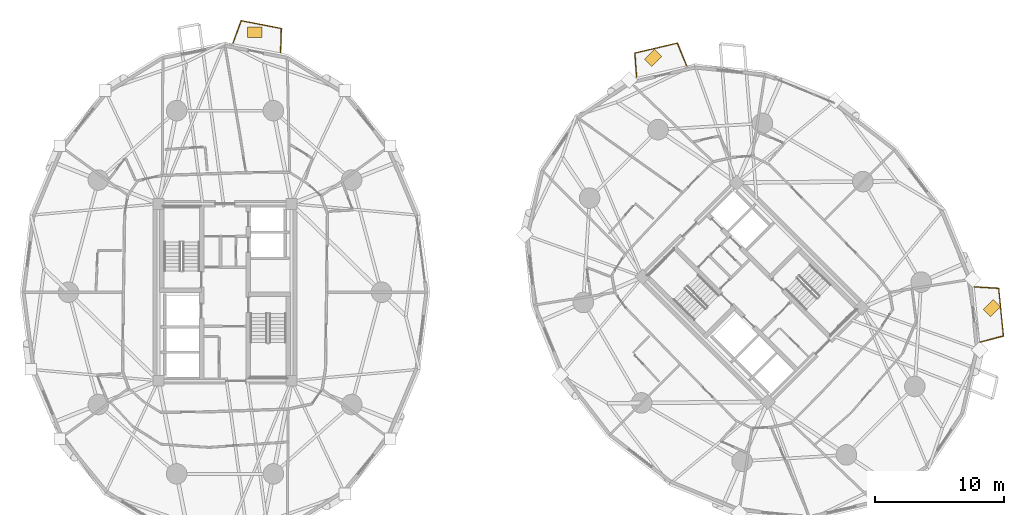
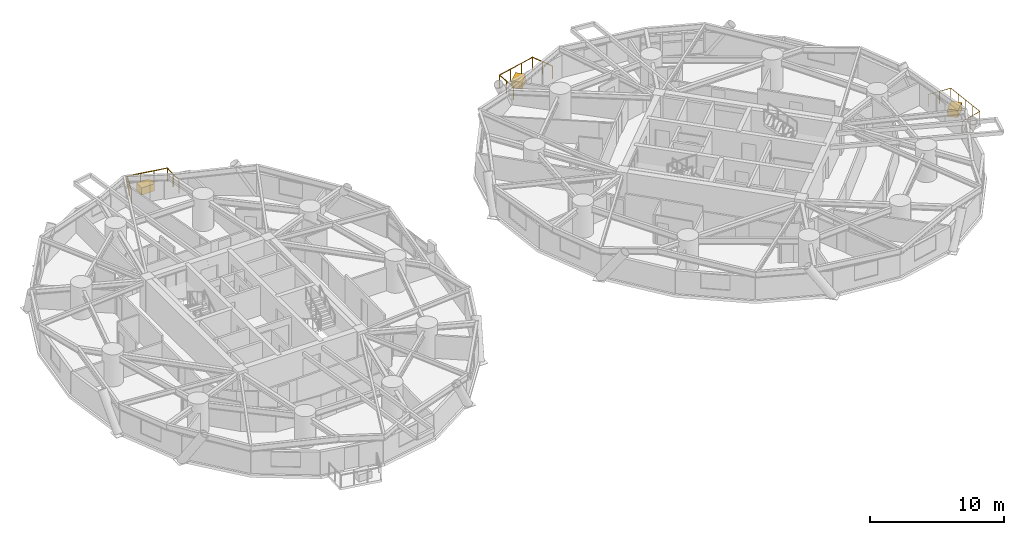
# One storey, part 19 of 19: 3 coverings, 3 railings.
"""IFC4 building model written with IfcOpenShell, lengths in metres."""

import ifcopenshell
import ifcopenshell.guid

model = None  # the IFC model being written
_history = None  # IfcOwnerHistory: only IFC2X3 demands one
_inside = {}  # id of a spatial element -> (the spatial element, [elements in it])
_under = {}  # id of a project, library or spatial element -> (it, [spatial elements below it])
_declared = {}  # id of a project -> (the project, [libraries it declares])
_typed = {}  # id of a type object -> (the type object, [elements of that type])
_made_of = {}  # id of a material, layer set ... -> (it, [elements and type objects made of it])


def new_model(schema):
    """Start an empty IFC model of exactly this schema.

    Asked for "IFC4X3", IfcOpenShell would pick the latest addendum, in which some entities
    have other attributes; the version numbers below select the first issue.
    IFC2X3 requires an IfcOwnerHistory on every rooted entity: one is made here for all.
    """
    global model, _history
    if schema == "IFC4X3":
        model = ifcopenshell.file(schema_version=(4, 3, 0, 0))
    else:
        model = ifcopenshell.file(schema=schema)
    _inside.clear()
    _under.clear()
    _declared.clear()
    _typed.clear()
    _made_of.clear()
    _history = None
    if model.schema == "IFC2X3":
        org = make("IfcOrganization", Name="unknown")
        user = make(
            "IfcPersonAndOrganization",
            ThePerson=make("IfcPerson", FamilyName="unknown"),
            TheOrganization=org,
        )
        app = make(
            "IfcApplication",
            ApplicationDeveloper=org,
            Version="unknown",
            ApplicationFullName="unknown",
            ApplicationIdentifier="unknown",
        )
        _history = make(
            "IfcOwnerHistory",
            OwningUser=user,
            OwningApplication=app,
            ChangeAction="ADDED",
            CreationDate=0,
        )
    return model


def make(cls, **values):
    """One entity of the class cls with the attributes given. An attribute that is None is left unset."""
    return model.create_entity(
        cls, **{name: value for name, value in values.items() if value is not None}
    )


def rooted(cls, **values):
    """An entity with a GlobalId (a new one), such as an element, a storey or a relation."""
    return make(cls, GlobalId=ifcopenshell.guid.new(), OwnerHistory=_history, **values)


def si_unit(unit_type, name, prefix=None):
    """IfcSIUnit, for example si_unit("LENGTHUNIT", "METRE", prefix="MILLI")."""
    return make("IfcSIUnit", UnitType=unit_type, Prefix=prefix, Name=name)


def assignment(units):
    """IfcUnitAssignment: the units of a project."""
    return None if units is None else make("IfcUnitAssignment", Units=units)


def point(xyz):
    """IfcCartesianPoint."""
    return None if xyz is None else make("IfcCartesianPoint", Coordinates=xyz)


def direction(xyz):
    """IfcDirection."""
    return None if xyz is None else make("IfcDirection", DirectionRatios=xyz)


def frame(location, z_axis=None, x_axis=None):
    """IfcAxis2Placement3D, a coordinate frame: its origin and axes. An axis left out is left unset."""
    return make(
        "IfcAxis2Placement3D",
        Location=point(location),
        Axis=direction(z_axis),
        RefDirection=direction(x_axis),
    )


def frame_2d(location, x_axis=None):
    """IfcAxis2Placement2D, a coordinate frame in the plane: its origin and x axis."""
    return make(
        "IfcAxis2Placement2D", Location=point(location), RefDirection=direction(x_axis)
    )


def origin():
    """The frame at (0, 0, 0) with its axes left unset."""
    return frame((0.0, 0.0, 0.0))


def origin_2d():
    """The frame at (0, 0) in the plane with its x axis left unset."""
    return frame_2d((0.0, 0.0))


def place(relative_to, where):
    """IfcLocalPlacement: puts the frame where relative to a parent placement (None: the world)."""
    return make(
        "IfcLocalPlacement", PlacementRelTo=relative_to, RelativePlacement=where
    )


def context(
    kind, dimensions, precision=None, world=None, true_north=None, identifier=None
):
    """IfcGeometricRepresentationContext, for example the 3D "Model" context."""
    return make(
        "IfcGeometricRepresentationContext",
        ContextIdentifier=identifier,
        ContextType=kind,
        CoordinateSpaceDimension=dimensions,
        Precision=precision,
        WorldCoordinateSystem=world,
        TrueNorth=true_north,
    )


def subcontext(parent, identifier, kind, view, scale=None):
    """IfcGeometricRepresentationSubContext, for example "Body" below "Model"."""
    return make(
        "IfcGeometricRepresentationSubContext",
        ContextIdentifier=identifier,
        ContextType=kind,
        ParentContext=parent,
        TargetScale=scale,
        TargetView=view,
    )


def project(units=None, contexts=None):
    """IfcProject with its units and contexts."""
    return rooted(
        "IfcProject",
        Name="project",
        RepresentationContexts=contexts,
        UnitsInContext=assignment(units),
    )


def spatial(cls, under=None, at=None, **own):
    """A site, building, storey or space (cls), placed at a placement, below another one or the project."""
    s = rooted(cls, ObjectPlacement=at, **own)
    if under is not None:
        _under.setdefault(under.id(), (under, []))[1].append(s)
    return s


def profile(cls, at=None, kind="AREA", **sizes):
    """A parametric profile (cls). Its sizes go by their IFC names, for example OverallWidth=200.0."""
    return make(cls, ProfileType=kind, Position=at, **sizes)


def rectangle(**sizes):
    """IfcRectangleProfileDef."""
    return profile("IfcRectangleProfileDef", **sizes)


def circle(**sizes):
    """IfcCircleProfileDef."""
    return profile("IfcCircleProfileDef", **sizes)


def extrude(swept, where, along, depth):
    """IfcExtrudedAreaSolid: the profile swept, set in the frame where, extruded along a direction by depth."""
    return make(
        "IfcExtrudedAreaSolid",
        SweptArea=swept,
        Position=where,
        ExtrudedDirection=direction(along),
        Depth=depth,
    )


def shape(context_of_items, identifier, shape_type, items):
    """IfcShapeRepresentation: the items that make up one representation, for example the "Body"."""
    return make(
        "IfcShapeRepresentation",
        ContextOfItems=context_of_items,
        RepresentationIdentifier=identifier,
        RepresentationType=shape_type,
        Items=items,
    )


def source(mapping_origin, context_of_items, identifier, shape_type, items):
    """IfcRepresentationMap: a shape defined once, which mapped items show again and again."""
    return make(
        "IfcRepresentationMap",
        MappingOrigin=mapping_origin,
        MappedRepresentation=shape(context_of_items, identifier, shape_type, items),
    )


def transform(
    local_origin,
    x_axis=None,
    y_axis=None,
    z_axis=None,
    scale=None,
    scale2=None,
    scale3=None,
    uniform=True,
):
    """IfcCartesianTransformationOperator3D, or its non-uniform kind. x_axis, y_axis, z_axis: its Axis1, 2, 3."""
    if uniform:
        return make(
            "IfcCartesianTransformationOperator3D",
            Axis1=direction(x_axis),
            Axis2=direction(y_axis),
            LocalOrigin=point(local_origin),
            Scale=scale,
            Axis3=direction(z_axis),
        )
    return make(
        "IfcCartesianTransformationOperator3DnonUniform",
        Axis1=direction(x_axis),
        Axis2=direction(y_axis),
        LocalOrigin=point(local_origin),
        Scale=scale,
        Axis3=direction(z_axis),
        Scale2=scale2,
        Scale3=scale3,
    )


def mapped(mapping_source, mapping_target):
    """IfcMappedItem: shows the shape of a source again, moved by a transform."""
    return make(
        "IfcMappedItem", MappingSource=mapping_source, MappingTarget=mapping_target
    )


def material(Name=None, Category=None):
    """IfcMaterial."""
    return make("IfcMaterial", Name=Name, Category=Category)


def layer(
    of_material, thickness, ventilated=None, Name=None, Category=None, Priority=None
):
    """IfcMaterialLayer: one layer of a wall or slab, of a material (None: an air gap)."""
    return make(
        "IfcMaterialLayer",
        Material=of_material,
        LayerThickness=thickness,
        IsVentilated=ventilated,
        Name=Name,
        Category=Category,
        Priority=Priority,
    )


def layer_set(layers, Name=None):
    """IfcMaterialLayerSet."""
    return make("IfcMaterialLayerSet", MaterialLayers=layers, LayerSetName=Name)


def made_of(thing, what):
    """Note that an element or type object is made of a material, layer set ...; save() writes the relation."""
    if what is not None:
        _made_of.setdefault(what.id(), (what, []))[1].append(thing)
    return thing


def type_object(cls, material=None, **own):
    """A type object (cls), such as IfcWallType, which elements share."""
    return made_of(rooted(cls, **own), material)


def element(
    cls,
    number,
    at=None,
    inside=None,
    cuts=None,
    type_object=None,
    material=None,
    context=None,
    identifier="Body",
    shape_type=None,
    held_by="IfcProductDefinitionShape",
    body=None,
    shapes=None,
    **own,
):
    """One element of the class cls, such as IfcWall. Its Tag is "e" and its number.

    at: its placement. inside: the storey or other place that contains it. cuts: it is an
    opening in that element (IfcRelVoidsElement). A single representation is given by context,
    identifier, shape_type and body (its items); several are given by shapes. held_by: the class
    of the entity that holds the representations. save() writes the other relations.
    """
    e = rooted(cls, Tag="e%d" % number, ObjectPlacement=at, **own)
    if body is not None:
        shapes = [shape(context, identifier, shape_type, body)]
    if shapes is not None:
        e.Representation = make(held_by, Representations=shapes)
    if inside is not None:
        _inside.setdefault(inside.id(), (inside, []))[1].append(e)
    if cuts is not None:
        rooted(
            "IfcRelVoidsElement", RelatingBuildingElement=cuts, RelatedOpeningElement=e
        )
    if type_object is not None:
        _typed.setdefault(type_object.id(), (type_object, []))[1].append(e)
    return made_of(e, material)


def aggregate(whole, parts):
    """IfcRelAggregates: a whole, such as a stair, and the parts it consists of."""
    return rooted("IfcRelAggregates", RelatingObject=whole, RelatedObjects=parts)


def save(model, path):
    """Write the relations noted so far, then the file.

    IfcRelAggregates (storeys below a building ...), IfcRelContainedInSpatialStructure (elements
    in a storey), IfcRelDefinesByType, IfcRelAssociatesMaterial and IfcRelDeclares: one each for
    every whole, place, type object, material and project.
    """
    for whole, parts in _under.values():
        aggregate(whole, parts)
    for where, things in _inside.values():
        rooted(
            "IfcRelContainedInSpatialStructure",
            RelatedElements=things,
            RelatingStructure=where,
        )
    for kind, things in _typed.values():
        rooted("IfcRelDefinesByType", RelatedObjects=things, RelatingType=kind)
    for what, things in _made_of.values():
        rooted("IfcRelAssociatesMaterial", RelatedObjects=things, RelatingMaterial=what)
    for by, libraries in _declared.values():
        rooted("IfcRelDeclares", RelatingContext=by, RelatedDefinitions=libraries)
    model.write(path)


model = new_model("IFC4")

# Units and contexts
model_context = context("Model", 3, precision=1e-05, world=origin(), true_north=direction((0.0, 1.0)))
body_context = subcontext(model_context, "Body", "Model", "MODEL_VIEW")
ifc_project = project(units=[si_unit("LENGTHUNIT", "METRE"), si_unit("AREAUNIT", "SQUARE_METRE"), si_unit("VOLUMEUNIT", "CUBIC_METRE"), si_unit("PLANEANGLEUNIT", "RADIAN"), si_unit("MASSUNIT", "GRAM", prefix="KILO")], contexts=[model_context])

# Site, building, storey
site_placement = place(None, origin())
site = spatial("IfcSite", under=ifc_project, at=site_placement, CompositionType="ELEMENT")
building_placement = place(site_placement, origin())
building = spatial("IfcBuilding", under=site, at=building_placement, Name="Cununo Teusaquillo Station Towers", CompositionType="ELEMENT")
storey_placement = place(building_placement, frame((0.0, 0.0, 48.18994140625)))
storey = spatial("IfcBuildingStorey", under=building, at=storey_placement, Name="L14", CompositionType="ELEMENT", Elevation=48.18994140625)

# Railings
ifc_material_1 = material(Name="Anodised dark bronze aluminium EN AW-6063-T6", Category="aluminium")
railing_type = type_object("IfcRailingType", Name="RL-EXT-GUARD", PredefinedType="GUARDRAIL", material=ifc_material_1)
railing_1_placement = place(storey_placement, frame((17.1181640625, 43.87158203125, 0.0)))
element("IfcRailing", 1, at=railing_1_placement, inside=storey, type_object=railing_type, Name="L14 Tower A Balcony Guardrail C04", PredefinedType="GUARDRAIL", context=body_context, shape_type="SweptSolid", body=[
    extrude(circle(Radius=0.02392578125, at=origin_2d()), frame((0.0, 0.0, 1.1259765625), z_axis=(0.343992902358, 0.938972248326, 0.0), x_axis=(-0.938972248326, 0.343992902358, 0.0)), (0.0, 0.0, 1.0), 1.86376953125),
    extrude(circle(Radius=0.02392578125, at=origin_2d()), frame((0.64111328125, 1.75, 1.1259765625), z_axis=(0.981832956512, -0.189747320158, 0.0), x_axis=(0.189747320158, 0.981832956512, 0.0)), (0.0, 0.0, 1.0), 3.179443359375),
    extrude(circle(Radius=0.02392578125, at=origin_2d()), frame((3.7626953125, 1.146728515625, 1.1259765625), z_axis=(-0.030654001707, -0.999530055666, 0.0), x_axis=(0.999530055666, -0.030654001707, 0.0)), (0.0, 0.0, 1.0), 1.86376953125),
    extrude(circle(Radius=0.02099609375, at=origin_2d()), origin(), (0.0, 0.0, 1.0), 1.101806640625),
    extrude(circle(Radius=0.02099609375, at=origin_2d()), frame((0.320556640625, 0.875, 0.0)), (0.0, 0.0, 1.0), 1.101806640625),
    extrude(circle(Radius=0.02099609375, at=origin_2d()), frame((0.64111328125, 1.75, 0.0)), (0.0, 0.0, 1.0), 1.101806640625),
    extrude(circle(Radius=0.02099609375, at=origin_2d()), frame((1.681640625, 1.548828125, 0.0)), (0.0, 0.0, 1.0), 1.101806640625),
    extrude(circle(Radius=0.02099609375, at=origin_2d()), frame((2.72216796875, 1.347900390625, 0.0)), (0.0, 0.0, 1.0), 1.101806640625),
    extrude(circle(Radius=0.02099609375, at=origin_2d()), frame((3.7626953125, 1.146728515625, 0.0)), (0.0, 0.0, 1.0), 1.101806640625),
    extrude(circle(Radius=0.02099609375, at=origin_2d()), frame((3.734130859375, 0.21533203125, 0.0)), (0.0, 0.0, 1.0), 1.101806640625),
    extrude(circle(Radius=0.02099609375, at=origin_2d()), frame((3.70556640625, -0.716064453125, 0.0)), (0.0, 0.0, 1.0), 1.101806640625),
])
railing_2_placement = place(storey_placement, frame((48.501220703125, 41.242919921875, 0.0)))
element("IfcRailing", 2, at=railing_2_placement, inside=storey, type_object=railing_type, Name="L14 Tower B Balcony Guardrail C03", PredefinedType="GUARDRAIL", context=body_context, shape_type="SweptSolid", body=[
    extrude(circle(Radius=0.02392578125, at=origin_2d()), frame((0.0, 0.0, 1.1259765625), z_axis=(-0.069035426256, 0.997614208961, 0.0), x_axis=(-0.997614208961, -0.069035426256, 0.0)), (0.0, 0.0, 1.0), 1.8671875),
    extrude(circle(Radius=0.02392578125, at=origin_2d()), frame((-0.12890625, 1.86279296875, 1.1259765625), z_axis=(0.973844925732, 0.227213689346, 0.0), x_axis=(-0.227213689346, 0.973844925732, 0.0)), (0.0, 0.0, 1.0), 3.39208984375),
    extrude(circle(Radius=0.02392578125, at=origin_2d()), frame((3.174560546875, 2.633544921875, 1.1259765625), z_axis=(0.379717055275, -0.925102674266, 0.0), x_axis=(0.925102674266, 0.379717055275, 0.0)), (0.0, 0.0, 1.0), 1.8671875),
    extrude(circle(Radius=0.02099609375, at=origin_2d()), origin(), (0.0, 0.0, 1.0), 1.101806640625),
    extrude(circle(Radius=0.02099609375, at=origin_2d()), frame((-0.064453125, 0.931396484375, 0.0)), (0.0, 0.0, 1.0), 1.101806640625),
    extrude(circle(Radius=0.02099609375, at=origin_2d()), frame((-0.12890625, 1.86279296875, 0.0)), (0.0, 0.0, 1.0), 1.101806640625),
    extrude(circle(Radius=0.02099609375, at=origin_2d()), frame((0.97216796875, 2.11962890625, 0.0)), (0.0, 0.0, 1.0), 1.101806640625),
    extrude(circle(Radius=0.02099609375, at=origin_2d()), frame((2.073486328125, 2.376708984375, 0.0)), (0.0, 0.0, 1.0), 1.101806640625),
    extrude(circle(Radius=0.02099609375, at=origin_2d()), frame((3.174560546875, 2.633544921875, 0.0)), (0.0, 0.0, 1.0), 1.101806640625),
    extrude(circle(Radius=0.02099609375, at=origin_2d()), frame((3.529052734375, 1.77001953125, 0.0)), (0.0, 0.0, 1.0), 1.101806640625),
    extrude(circle(Radius=0.02099609375, at=origin_2d()), frame((3.883544921875, 0.90625, 0.0)), (0.0, 0.0, 1.0), 1.101806640625),
])
railing_3_placement = place(storey_placement, frame((74.802001953125, 24.919677734375, 0.0)))
element("IfcRailing", 3, at=railing_3_placement, inside=storey, type_object=railing_type, Name="L14 Tower B Balcony Guardrail C17", PredefinedType="GUARDRAIL", context=body_context, shape_type="SweptSolid", body=[
    extrude(circle(Radius=0.02392578125, at=origin_2d()), frame((0.0, 0.0, 1.1259765625), z_axis=(0.998127460109, -0.061168401776, 0.0), x_axis=(0.061168401776, 0.998127460109, 0.0)), (0.0, 0.0, 1.0), 1.871826171875),
    extrude(circle(Radius=0.02392578125, at=origin_2d()), frame((1.868408203125, -0.114501953125, 1.1259765625), z_axis=(0.098626583811, -0.995124513298, 0.0), x_axis=(0.995124513298, 0.098626583811, 0.0)), (0.0, 0.0, 1.0), 3.720458984375),
    extrude(circle(Radius=0.02392578125, at=origin_2d()), frame((2.2353515625, -3.81689453125, 1.1259765625), z_axis=(-0.966705227862, -0.255892560316, 0.0), x_axis=(0.255892560316, -0.966705227862, 0.0)), (0.0, 0.0, 1.0), 1.871826171875),
    extrude(circle(Radius=0.02099609375, at=origin_2d()), origin(), (0.0, 0.0, 1.0), 1.101806640625),
    extrude(circle(Radius=0.02099609375, at=origin_2d()), frame((0.93408203125, -0.05712890625, 0.0)), (0.0, 0.0, 1.0), 1.101806640625),
    extrude(circle(Radius=0.02099609375, at=origin_2d()), frame((1.868408203125, -0.114501953125, 0.0)), (0.0, 0.0, 1.0), 1.101806640625),
    extrude(circle(Radius=0.02099609375, at=origin_2d()), frame((1.960205078125, -1.0400390625, 0.0)), (0.0, 0.0, 1.0), 1.101806640625),
    extrude(circle(Radius=0.02099609375, at=origin_2d()), frame((2.0517578125, -1.9658203125, 0.0)), (0.0, 0.0, 1.0), 1.101806640625),
    extrude(circle(Radius=0.02099609375, at=origin_2d()), frame((2.1435546875, -2.891357421875, 0.0)), (0.0, 0.0, 1.0), 1.101806640625),
    extrude(circle(Radius=0.02099609375, at=origin_2d()), frame((2.2353515625, -3.81689453125, 0.0)), (0.0, 0.0, 1.0), 1.101806640625),
    extrude(circle(Radius=0.02099609375, at=origin_2d()), frame((1.33056640625, -4.056396484375, 0.0)), (0.0, 0.0, 1.0), 1.101806640625),
    extrude(circle(Radius=0.02099609375, at=origin_2d()), frame((0.42578125, -4.2958984375, 0.0)), (0.0, 0.0, 1.0), 1.101806640625),
])

# Coverings
ifc_material_2 = material(Name="Architectural GRC planter shell and engineered root-zone substrate", Category="concrete")
ifc_layer = layer(ifc_material_2, 0.64990234375)
ifc_layer_set = layer_set([ifc_layer], Name="Architectural GRC planter shell and engineered root-zone substrate")
covering_type = type_object("IfcCoveringType", Name="COV-TREE-PLANTER", PredefinedType="CLADDING", material=ifc_layer_set)
shared_shape = source(origin(), body_context, "Body", "SweptSolid", [
    extrude(rectangle(XDim=1.10009765625, YDim=0.800048828125, at=origin_2d()), origin(), (0.0, 0.0, 1.0), 0.64990234375),
])
for number, where, z_axis, x_axis, name in (
    (4, (18.810546875, 44.712158203125, 0.0), (0.0, 0.0, 1.0), (1.0, 0.0, 0.0), "L14 Tower A Balcony Tree PLANTER C04"),
    (5, (49.80712890625, 42.7265625, 0.0), (0.0, 0.0, 1.0), (0.707106781187, 0.707106781187, 0.0), "L14 Tower B Balcony Tree PLANTER C03"),
    (6, (76.12158203125, 23.268310546875, 0.0), (0.0, 0.0, 1.0), (0.707106781187, 0.707106781187, 0.0), "L14 Tower B Balcony Tree PLANTER C17"),
):
    element("IfcCovering", number, at=place(storey_placement, frame(where, z_axis=z_axis, x_axis=x_axis)), inside=storey, type_object=covering_type, Name=name, PredefinedType="CLADDING", context=body_context, shape_type="MappedRepresentation", body=[
        mapped(shared_shape, transform((0.0, 0.0, 0.0), x_axis=(1.0, 0.0, 0.0), y_axis=(0.0, 1.0, 0.0), z_axis=(0.0, 0.0, 1.0), scale=1.0)),
    ])

save(model, "model.ifc")
